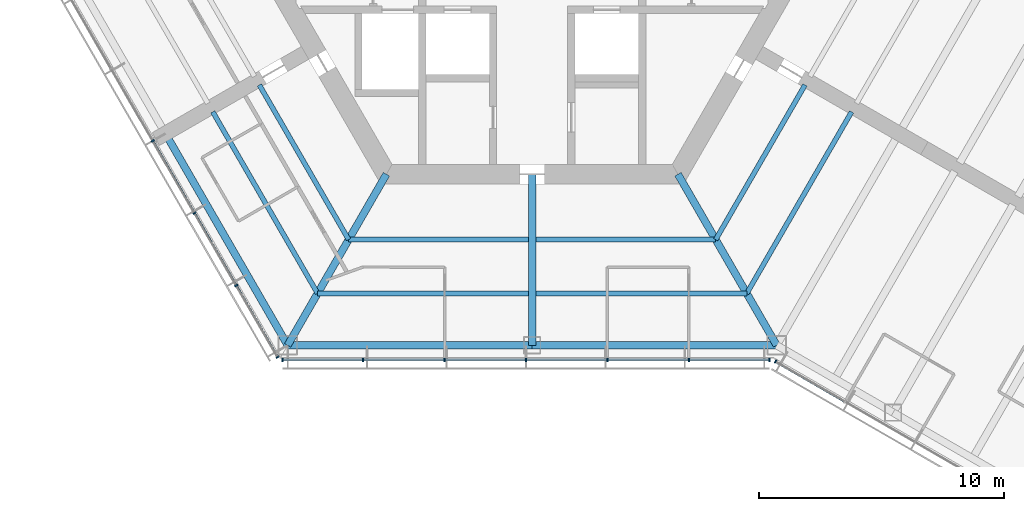
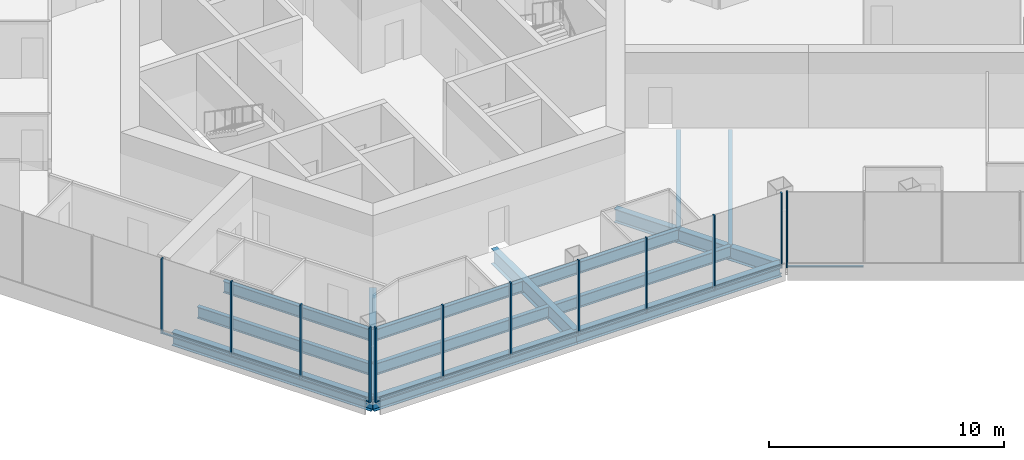
# One storey, part 2 of 16: 22 members, 14 beams, 3 elements without a shape of their own.
"""IFC4 building model written with IfcOpenShell, lengths in metres."""

from ifc_helpers import new_model, si_unit, direction, frame, origin, origin_2d, place, context, subcontext, project, spatial, rectangle, i_section, extrude, material, material_profile, profile_set, type_object, element, aggregate, save


model = new_model("IFC4")

# Units and contexts
model_context = context("Model", 3, precision=1e-05, world=origin(), true_north=direction((0.0, 1.0)))
body_context = subcontext(model_context, "Body", "Model", "MODEL_VIEW")
ifc_project = project(units=[si_unit("LENGTHUNIT", "METRE"), si_unit("AREAUNIT", "SQUARE_METRE"), si_unit("VOLUMEUNIT", "CUBIC_METRE"), si_unit("PLANEANGLEUNIT", "RADIAN"), si_unit("MASSUNIT", "GRAM", prefix="KILO")], contexts=[model_context])

# Site, building, storey
site_placement = place(None, origin())
site = spatial("IfcSite", under=ifc_project, at=site_placement, CompositionType="ELEMENT")
building_placement = place(site_placement, origin())
building = spatial("IfcBuilding", under=site, at=building_placement, Name="Kasaneha Research Tower", CompositionType="ELEMENT")
storey_placement = place(building_placement, frame((0.0, 0.0, 247.89990234375)))
storey = spatial("IfcBuildingStorey", under=building, at=storey_placement, Name="L62", CompositionType="ELEMENT", Elevation=247.89990234375)

# Beams
ifc_material_1 = material(Name="Steel SN490B", Category="steel")
ifc_material_profile_1 = material_profile(ifc_material_1, i_section(OverallWidth=0.199951171875, OverallDepth=0.60009765625, WebThickness=0.010986328125, FlangeThickness=0.01708984375, FilletRadius=0.012939453125, at=origin_2d()), Name="H-600x200x11x17")
ifc_profile_set_1 = profile_set([ifc_material_profile_1], Name="Steel SN490B")
beam_type_1 = type_object("IfcBeamType", Name="B1-3 secondary beam H-600x200x11x17", PredefinedType="JOIST", material=ifc_profile_set_1)
beam_1_placement = place(storey_placement, frame((-7.505615234375, -13.0, -0.449951171875), z_axis=(-0.499999192304, 0.866025870108, 0.0), x_axis=(-0.866025870108, -0.499999192304, 0.0)))
element("IfcBeam", 1, at=beam_1_placement, inside=storey, type_object=beam_type_1, Name="Secondary beam RS210R1 L62", PredefinedType="JOIST", context=body_context, shape_type="SweptSolid", body=[
    extrude(i_section(OverallWidth=0.199951171875, OverallDepth=0.60009765625, WebThickness=0.010986328125, FlangeThickness=0.01708984375, FilletRadius=0.012939453125, at=origin_2d()), origin(), (0.0, 0.0, 1.0), 7.3056640625),
])
beam_2_placement = place(storey_placement, frame((-8.775634765625, -15.199951171875, -0.449951171875), z_axis=(-0.500000102728, 0.866025344474, 0.0), x_axis=(-0.866025344474, -0.500000102728, 0.0)))
element("IfcBeam", 2, at=beam_2_placement, inside=storey, type_object=beam_type_1, Name="Secondary beam RS210R2 L62", PredefinedType="JOIST", context=body_context, shape_type="SweptSolid", body=[
    extrude(i_section(OverallWidth=0.199951171875, OverallDepth=0.60009765625, WebThickness=0.010986328125, FlangeThickness=0.01708984375, FilletRadius=0.012939453125, at=origin_2d()), origin(), (0.0, 0.0, 1.0), 8.57568359375),
])
beam_3_placement = place(storey_placement, frame((-7.505615234375, -13.0, -0.449951171875), z_axis=(1.0, 0.0, 0.0), x_axis=(0.0, 1.0, 0.0)))
element("IfcBeam", 3, at=beam_3_placement, inside=storey, type_object=beam_type_1, Name="Secondary beam RS270L1 L62", PredefinedType="JOIST", context=body_context, shape_type="SweptSolid", body=[
    extrude(i_section(OverallWidth=0.199951171875, OverallDepth=0.60009765625, WebThickness=0.010986328125, FlangeThickness=0.01708984375, FilletRadius=0.012939453125, at=origin_2d()), origin(), (0.0, 0.0, 1.0), 7.355712890625),
])
beam_4_placement = place(storey_placement, frame((-8.775634765625, -15.199951171875, -0.449951171875), z_axis=(1.0, 0.0, 0.0), x_axis=(0.0, 1.0, 0.0)))
element("IfcBeam", 4, at=beam_4_placement, inside=storey, type_object=beam_type_1, Name="Secondary beam RS270L2 L62", PredefinedType="JOIST", context=body_context, shape_type="SweptSolid", body=[
    extrude(i_section(OverallWidth=0.199951171875, OverallDepth=0.60009765625, WebThickness=0.010986328125, FlangeThickness=0.01708984375, FilletRadius=0.012939453125, at=origin_2d()), origin(), (0.0, 0.0, 1.0), 8.625732421875),
])
beam_5_placement = place(storey_placement, frame((7.505615234375, -13.0, -0.449951171875), z_axis=(-1.0, 0.0, 0.0), x_axis=(0.0, -1.0, 0.0)))
element("IfcBeam", 5, at=beam_5_placement, inside=storey, type_object=beam_type_1, Name="Secondary beam RS270R1 L62", PredefinedType="JOIST", context=body_context, shape_type="SweptSolid", body=[
    extrude(i_section(OverallWidth=0.199951171875, OverallDepth=0.60009765625, WebThickness=0.010986328125, FlangeThickness=0.01708984375, FilletRadius=0.012939453125, at=origin_2d()), origin(), (0.0, 0.0, 1.0), 7.355712890625),
])
beam_6_placement = place(storey_placement, frame((8.775634765625, -15.199951171875, -0.449951171875), z_axis=(-1.0, 0.0, 0.0), x_axis=(0.0, -1.0, 0.0)))
element("IfcBeam", 6, at=beam_6_placement, inside=storey, type_object=beam_type_1, Name="Secondary beam RS270R2 L62", PredefinedType="JOIST", context=body_context, shape_type="SweptSolid", body=[
    extrude(i_section(OverallWidth=0.199951171875, OverallDepth=0.60009765625, WebThickness=0.010986328125, FlangeThickness=0.01708984375, FilletRadius=0.012939453125, at=origin_2d()), origin(), (0.0, 0.0, 1.0), 8.625732421875),
])
beam_7_placement = place(storey_placement, frame((7.505615234375, -13.0, -0.449951171875), z_axis=(0.499999192304, 0.866025870108, 0.0), x_axis=(-0.866025870108, 0.499999192304, 0.0)))
element("IfcBeam", 7, at=beam_7_placement, inside=storey, type_object=beam_type_1, Name="Secondary beam RS330L1 L62", PredefinedType="JOIST", context=body_context, shape_type="SweptSolid", body=[
    extrude(i_section(OverallWidth=0.199951171875, OverallDepth=0.60009765625, WebThickness=0.010986328125, FlangeThickness=0.01708984375, FilletRadius=0.012939453125, at=origin_2d()), origin(), (0.0, 0.0, 1.0), 7.3056640625),
])
beam_8_placement = place(storey_placement, frame((8.775634765625, -15.199951171875, -0.449951171875), z_axis=(0.500000102728, 0.866025344474, 0.0), x_axis=(-0.866025344474, 0.500000102728, 0.0)))
element("IfcBeam", 8, at=beam_8_placement, inside=storey, type_object=beam_type_1, Name="Secondary beam RS330L2 L62", PredefinedType="JOIST", context=body_context, shape_type="SweptSolid", body=[
    extrude(i_section(OverallWidth=0.199951171875, OverallDepth=0.60009765625, WebThickness=0.010986328125, FlangeThickness=0.01708984375, FilletRadius=0.012939453125, at=origin_2d()), origin(), (0.0, 0.0, 1.0), 8.57568359375),
])

# Curtain wall, members
ifc_material_2 = material(Name="Glass and aluminium", Category="aluminium")
curtain_wall_type = type_object("IfcCurtainWallType", Name="High-rise office curtain wall", PredefinedType="USERDEFINED", material=ifc_material_2)
curtain_wall_1_placement = place(storey_placement, origin())
curtain_wall_1 = element("IfcCurtainWall", 9, at=curtain_wall_1_placement, inside=storey, type_object=curtain_wall_type, Name="CW-O3 L62 run 04a", ObjectType="UNITISED CURTAIN WALL", PredefinedType="USERDEFINED")
ifc_material_3 = material(Name="Aluminium 6063-T6", Category="aluminium")
ifc_material_profile_2 = material_profile(ifc_material_3, rectangle(XDim=0.06005859375, YDim=0.139892578125, at=origin_2d()), Name="CW-O3 mullion 60x140")
ifc_profile_set_2 = profile_set([ifc_material_profile_2], Name="Aluminium 6063-T6")
member_type_1 = type_object("IfcMemberType", Name="CW-O3 mullion", PredefinedType="MULLION", material=ifc_profile_set_2)
member_1_placement = place(storey_placement, frame((-15.51953125, -8.960205078125, 0.0), z_axis=(0.0, 0.0, 1.0), x_axis=(0.499999995722, -0.866025406254, 0.0)))
member_1 = element("IfcMember", 10, at=member_1_placement, type_object=member_type_1, Name="CW-O3 mullion 4", PredefinedType="MULLION", context=body_context, shape_type="SweptSolid", body=[
    extrude(rectangle(XDim=0.06005859375, YDim=0.139892578125, at=origin_2d()), origin(), (0.0, 0.0, 1.0), 3.900146484375),
])
member_2_placement = place(storey_placement, frame((-13.811767578125, -11.918212890625, 0.0), z_axis=(0.0, 0.0, 1.0), x_axis=(0.499999995722, -0.866025406254, 0.0)))
member_2 = element("IfcMember", 11, at=member_2_placement, type_object=member_type_1, Name="CW-O3 mullion 5", PredefinedType="MULLION", context=body_context, shape_type="SweptSolid", body=[
    extrude(rectangle(XDim=0.06005859375, YDim=0.139892578125, at=origin_2d()), origin(), (0.0, 0.0, 1.0), 3.900146484375),
])
member_3_placement = place(storey_placement, frame((-12.104248046875, -14.8759765625, 0.0), z_axis=(0.0, 0.0, 1.0), x_axis=(0.499999995722, -0.866025406254, 0.0)))
member_3 = element("IfcMember", 12, at=member_3_placement, type_object=member_type_1, Name="CW-O3 mullion 6", PredefinedType="MULLION", context=body_context, shape_type="SweptSolid", body=[
    extrude(rectangle(XDim=0.06005859375, YDim=0.139892578125, at=origin_2d()), origin(), (0.0, 0.0, 1.0), 3.900146484375),
])
member_4_placement = place(storey_placement, frame((-10.411376953125, -17.807861328125, 0.0), z_axis=(0.0, 0.0, 1.0), x_axis=(0.499999995722, -0.866025406254, 0.0)))
member_4 = element("IfcMember", 13, at=member_4_placement, type_object=member_type_1, Name="CW-O3 mullion 7", PredefinedType="MULLION", context=body_context, shape_type="SweptSolid", body=[
    extrude(rectangle(XDim=0.06005859375, YDim=0.139892578125, at=origin_2d()), origin(), (0.0, 0.0, 1.0), 3.900146484375),
])

curtain_wall_2_placement = place(storey_placement, origin())
curtain_wall_2 = element("IfcCurtainWall", 14, at=curtain_wall_2_placement, inside=storey, type_object=curtain_wall_type, Name="CW-O3 L62 run 05a", ObjectType="UNITISED CURTAIN WALL", PredefinedType="USERDEFINED")
member_5_placement = place(storey_placement, frame((-10.21630859375, -17.92041015625, 0.0), z_axis=(0.0, 0.0, 1.0), x_axis=(1.0, 0.0, 0.0)))
member_5 = element("IfcMember", 15, at=member_5_placement, type_object=member_type_1, Name="CW-O3 mullion 1", PredefinedType="MULLION", context=body_context, shape_type="SweptSolid", body=[
    extrude(rectangle(XDim=0.06005859375, YDim=0.139892578125, at=origin_2d()), origin(), (0.0, 0.0, 1.0), 3.900146484375),
])
member_6_placement = place(storey_placement, frame((-6.91552734375, -17.92041015625, 0.0), z_axis=(0.0, 0.0, 1.0), x_axis=(1.0, 0.0, 0.0)))
member_6 = element("IfcMember", 16, at=member_6_placement, type_object=member_type_1, Name="CW-O3 mullion 2", PredefinedType="MULLION", context=body_context, shape_type="SweptSolid", body=[
    extrude(rectangle(XDim=0.06005859375, YDim=0.139892578125, at=origin_2d()), origin(), (0.0, 0.0, 1.0), 3.900146484375),
])
member_7_placement = place(storey_placement, frame((-3.58447265625, -17.92041015625, 0.0), z_axis=(0.0, 0.0, 1.0), x_axis=(1.0, 0.0, 0.0)))
member_7 = element("IfcMember", 17, at=member_7_placement, type_object=member_type_1, Name="CW-O3 mullion 3", PredefinedType="MULLION", context=body_context, shape_type="SweptSolid", body=[
    extrude(rectangle(XDim=0.06005859375, YDim=0.139892578125, at=origin_2d()), origin(), (0.0, 0.0, 1.0), 3.900146484375),
])
member_8_placement = place(storey_placement, frame((-0.253662109375, -17.92041015625, 0.0), z_axis=(0.0, 0.0, 1.0), x_axis=(1.0, 0.0, 0.0)))
member_8 = element("IfcMember", 18, at=member_8_placement, type_object=member_type_1, Name="CW-O3 mullion 4", PredefinedType="MULLION", context=body_context, shape_type="SweptSolid", body=[
    extrude(rectangle(XDim=0.06005859375, YDim=0.139892578125, at=origin_2d()), origin(), (0.0, 0.0, 1.0), 3.900146484375),
])
member_9_placement = place(storey_placement, frame((3.077392578125, -17.92041015625, 0.0), z_axis=(0.0, 0.0, 1.0), x_axis=(1.0, 0.0, 0.0)))
member_9 = element("IfcMember", 19, at=member_9_placement, type_object=member_type_1, Name="CW-O3 mullion 5", PredefinedType="MULLION", context=body_context, shape_type="SweptSolid", body=[
    extrude(rectangle(XDim=0.06005859375, YDim=0.139892578125, at=origin_2d()), origin(), (0.0, 0.0, 1.0), 3.900146484375),
])
member_10_placement = place(storey_placement, frame((6.408203125, -17.92041015625, 0.0), z_axis=(0.0, 0.0, 1.0), x_axis=(1.0, 0.0, 0.0)))
member_10 = element("IfcMember", 20, at=member_10_placement, type_object=member_type_1, Name="CW-O3 mullion 6", PredefinedType="MULLION", context=body_context, shape_type="SweptSolid", body=[
    extrude(rectangle(XDim=0.06005859375, YDim=0.139892578125, at=origin_2d()), origin(), (0.0, 0.0, 1.0), 3.900146484375),
])
member_11_placement = place(storey_placement, frame((9.709228515625, -17.92041015625, 0.0), z_axis=(0.0, 0.0, 1.0), x_axis=(1.0, 0.0, 0.0)))
member_11 = element("IfcMember", 21, at=member_11_placement, type_object=member_type_1, Name="CW-O3 mullion 7", PredefinedType="MULLION", context=body_context, shape_type="SweptSolid", body=[
    extrude(rectangle(XDim=0.06005859375, YDim=0.139892578125, at=origin_2d()), origin(), (0.0, 0.0, 1.0), 3.900146484375),
])

# Curtain wall, member
curtain_wall_3_placement = place(storey_placement, origin())
curtain_wall_3 = element("IfcCurtainWall", 22, at=curtain_wall_3_placement, inside=storey, type_object=curtain_wall_type, Name="CW-O3 L62 run 06a", ObjectType="UNITISED CURTAIN WALL", PredefinedType="USERDEFINED")
member_12_placement = place(storey_placement, frame((9.951904296875, -17.985595703125, 0.0), z_axis=(0.0, 0.0, 1.0), x_axis=(0.866025411464, -0.499999986699, 0.0)))
member_12 = element("IfcMember", 23, at=member_12_placement, type_object=member_type_1, Name="CW-O3 mullion 1", PredefinedType="MULLION", context=body_context, shape_type="SweptSolid", body=[
    extrude(rectangle(XDim=0.06005859375, YDim=0.139892578125, at=origin_2d()), origin(), (0.0, 0.0, 1.0), 3.900146484375),
])

# Member
ifc_material_4 = material(Name="Aluminium 6063-T6", Category="aluminium")
ifc_material_profile_3 = material_profile(ifc_material_4, rectangle(XDim=0.10009765625, YDim=0.06005859375, at=origin_2d()), Name="CW-O3 transom 100x60")
ifc_profile_set_3 = profile_set([ifc_material_profile_3], Name="Aluminium 6063-T6")
member_type_2 = type_object("IfcMemberType", Name="CW-O3 transom", PredefinedType="USERDEFINED", material=ifc_profile_set_3)
member_13_placement = place(storey_placement, frame((-15.504638671875, -8.986328125, 0.030029296875), z_axis=(0.500020578564, -0.866013522419, 0.0), x_axis=(0.866013522419, 0.500020578564, 0.0)))
member_13 = element("IfcMember", 24, at=member_13_placement, type_object=member_type_2, Name="CW-O3 transom 4", ObjectType="TRANSOM", PredefinedType="USERDEFINED", context=body_context, shape_type="SweptSolid", body=[
    extrude(rectangle(XDim=0.10009765625, YDim=0.06005859375, at=origin_2d()), origin(), (0.0, 0.0, 1.0), 3.355224609375),
])

member_14_placement = place(storey_placement, frame((-13.796875, -11.944091796875, 0.030029296875), z_axis=(0.499989072476, -0.866031712701, 0.0), x_axis=(0.866031712701, 0.499989072476, 0.0)))
member_14 = element("IfcMember", 25, at=member_14_placement, type_object=member_type_2, Name="CW-O3 transom 5", ObjectType="TRANSOM", PredefinedType="USERDEFINED", context=body_context, shape_type="SweptSolid", body=[
    extrude(rectangle(XDim=0.10009765625, YDim=0.06005859375, at=origin_2d()), origin(), (0.0, 0.0, 1.0), 3.35546875),
])

member_15_placement = place(storey_placement, frame((-12.089111328125, -14.902099609375, 0.030029296875), z_axis=(0.49997666526, -0.866038875684, 0.0), x_axis=(0.866038875684, 0.49997666526, 0.0)))
member_15 = element("IfcMember", 26, at=member_15_placement, type_object=member_type_2, Name="CW-O3 transom 6", ObjectType="TRANSOM", PredefinedType="USERDEFINED", context=body_context, shape_type="SweptSolid", body=[
    extrude(rectangle(XDim=0.10009765625, YDim=0.06005859375, at=origin_2d()), origin(), (0.0, 0.0, 1.0), 3.325439453125),
])

aggregate(curtain_wall_1, [member_1, member_2, member_3, member_4, member_13, member_14, member_15])

member_16_placement = place(storey_placement, frame((-10.1865234375, -17.92041015625, 0.030029296875), z_axis=(1.0, 0.0, 0.0), x_axis=(0.0, 1.0, 0.0)))
member_16 = element("IfcMember", 27, at=member_16_placement, type_object=member_type_2, Name="CW-O3 transom 1", ObjectType="TRANSOM", PredefinedType="USERDEFINED", context=body_context, shape_type="SweptSolid", body=[
    extrude(rectangle(XDim=0.10009765625, YDim=0.06005859375, at=origin_2d()), origin(), (0.0, 0.0, 1.0), 3.240966796875),
])

member_17_placement = place(storey_placement, frame((-6.885498046875, -17.92041015625, 0.030029296875), z_axis=(1.0, 0.0, 0.0), x_axis=(0.0, 1.0, 0.0)))
member_17 = element("IfcMember", 28, at=member_17_placement, type_object=member_type_2, Name="CW-O3 transom 2", ObjectType="TRANSOM", PredefinedType="USERDEFINED", context=body_context, shape_type="SweptSolid", body=[
    extrude(rectangle(XDim=0.10009765625, YDim=0.06005859375, at=origin_2d()), origin(), (0.0, 0.0, 1.0), 3.27099609375),
])

member_18_placement = place(storey_placement, frame((-3.554443359375, -17.92041015625, 0.030029296875), z_axis=(1.0, 0.0, 0.0), x_axis=(0.0, 1.0, 0.0)))
member_18 = element("IfcMember", 29, at=member_18_placement, type_object=member_type_2, Name="CW-O3 transom 3", ObjectType="TRANSOM", PredefinedType="USERDEFINED", context=body_context, shape_type="SweptSolid", body=[
    extrude(rectangle(XDim=0.10009765625, YDim=0.06005859375, at=origin_2d()), origin(), (0.0, 0.0, 1.0), 3.270751953125),
])

member_19_placement = place(storey_placement, frame((-0.2236328125, -17.92041015625, 0.030029296875), z_axis=(1.0, 0.0, 0.0), x_axis=(0.0, 1.0, 0.0)))
member_19 = element("IfcMember", 30, at=member_19_placement, type_object=member_type_2, Name="CW-O3 transom 4", ObjectType="TRANSOM", PredefinedType="USERDEFINED", context=body_context, shape_type="SweptSolid", body=[
    extrude(rectangle(XDim=0.10009765625, YDim=0.06005859375, at=origin_2d()), origin(), (0.0, 0.0, 1.0), 3.27099609375),
])

member_20_placement = place(storey_placement, frame((3.107421875, -17.92041015625, 0.030029296875), z_axis=(1.0, 0.0, 0.0), x_axis=(0.0, 1.0, 0.0)))
member_20 = element("IfcMember", 31, at=member_20_placement, type_object=member_type_2, Name="CW-O3 transom 5", ObjectType="TRANSOM", PredefinedType="USERDEFINED", context=body_context, shape_type="SweptSolid", body=[
    extrude(rectangle(XDim=0.10009765625, YDim=0.06005859375, at=origin_2d()), origin(), (0.0, 0.0, 1.0), 3.270751953125),
])

member_21_placement = place(storey_placement, frame((6.438232421875, -17.92041015625, 0.030029296875), z_axis=(1.0, 0.0, 0.0), x_axis=(0.0, 1.0, 0.0)))
member_21 = element("IfcMember", 32, at=member_21_placement, type_object=member_type_2, Name="CW-O3 transom 6", ObjectType="TRANSOM", PredefinedType="USERDEFINED", context=body_context, shape_type="SweptSolid", body=[
    extrude(rectangle(XDim=0.10009765625, YDim=0.06005859375, at=origin_2d()), origin(), (0.0, 0.0, 1.0), 3.240966796875),
])

aggregate(curtain_wall_2, [member_5, member_6, member_7, member_8, member_9, member_10, member_11, member_16, member_17, member_18, member_19, member_20, member_21])

member_22_placement = place(storey_placement, frame((9.977783203125, -18.00048828125, 0.030029296875), z_axis=(0.866022692473, -0.500004696101, 0.0), x_axis=(0.500004696101, 0.866022692473, 0.0)))
member_22 = element("IfcMember", 33, at=member_22_placement, type_object=member_type_2, Name="CW-O3 transom 1", ObjectType="TRANSOM", PredefinedType="USERDEFINED", context=body_context, shape_type="SweptSolid", body=[
    extrude(rectangle(XDim=0.10009765625, YDim=0.06005859375, at=origin_2d()), origin(), (0.0, 0.0, 1.0), 3.2197265625),
])

aggregate(curtain_wall_3, [member_12, member_22])

# Beams
ifc_material_5 = material(Name="Steel SN490B", Category="steel")
ifc_material_profile_4 = material_profile(ifc_material_5, i_section(OverallWidth=0.300048828125, OverallDepth=0.699951171875, WebThickness=0.012939453125, FlangeThickness=0.02392578125, FilletRadius=0.01806640625, at=origin_2d()), Name="H-700x300x13x24")
ifc_profile_set_4 = profile_set([ifc_material_profile_4], Name="Steel SN490B")
beam_type_2 = type_object("IfcBeamType", Name="G1-3 radial girder H-700x300x13x24", PredefinedType="BEAM", material=ifc_profile_set_4)
for number, where, z_axis, x_axis, name in (
    (34, (-5.961181640625, -10.324951171875, -0.5), (-0.49999105496, -0.866030568144, 0.0), (0.866030568144, -0.49999105496, 0.0), "Radial girder RV240 L62"),
    (35, (5.961181640625, -10.324951171875, -0.5), (0.49999105496, -0.866030568144, 0.0), (0.866030568144, 0.49999105496, 0.0), "Radial girder RV300 L62"),
):
    element("IfcBeam", number, at=place(storey_placement, frame(where, z_axis=z_axis, x_axis=x_axis)), inside=storey, type_object=beam_type_2, Name=name, PredefinedType="BEAM", context=body_context, shape_type="SweptSolid", body=[
        extrude(i_section(OverallWidth=0.300048828125, OverallDepth=0.699951171875, WebThickness=0.012939453125, FlangeThickness=0.02392578125, FilletRadius=0.01806640625, at=origin_2d()), origin(), (0.0, 0.0, 1.0), 8.077880859375),
    ])
ifc_material_6 = material(Name="Steel SN490B", Category="steel")
ifc_material_profile_5 = material_profile(ifc_material_6, i_section(OverallWidth=0.300048828125, OverallDepth=0.800048828125, WebThickness=0.013916015625, FlangeThickness=0.02587890625, FilletRadius=0.01806640625, at=origin_2d()), Name="H-800x300x14x26")
ifc_profile_set_5 = profile_set([ifc_material_profile_5], Name="Steel SN490B")
beam_type_3 = type_object("IfcBeamType", Name="G2-3 radial girder H-800x300x14x26", PredefinedType="BEAM", material=ifc_profile_set_5)
beam_9_placement = place(storey_placement, frame((0.0, -10.324951171875, -0.5498046875), z_axis=(0.0, -1.0, 0.0), x_axis=(1.0, 0.0, 0.0)))
element("IfcBeam", 36, at=beam_9_placement, inside=storey, type_object=beam_type_3, Name="Radial girder RM270 L62", PredefinedType="BEAM", context=body_context, shape_type="SweptSolid", body=[
    extrude(i_section(OverallWidth=0.300048828125, OverallDepth=0.800048828125, WebThickness=0.013916015625, FlangeThickness=0.02587890625, FilletRadius=0.01806640625, at=origin_2d()), origin(), (0.0, 0.0, 1.0), 6.99560546875),
])
ifc_material_7 = material(Name="Steel SN490B", Category="steel")
ifc_material_profile_6 = material_profile(ifc_material_7, i_section(OverallWidth=0.300048828125, OverallDepth=0.69189453125, WebThickness=0.012939453125, FlangeThickness=0.02001953125, FilletRadius=0.01806640625, at=origin_2d()), Name="H-692x300x13x20")
ifc_profile_set_6 = profile_set([ifc_material_profile_6], Name="Steel SN490B")
beam_type_4 = type_object("IfcBeamType", Name="G3-3 plate edge girder H-692x300x13x20", PredefinedType="BEAM", material=ifc_profile_set_6)
beam_10_placement = place(storey_placement, frame((-10.0, -17.320556640625, -0.495849609375), z_axis=(-0.49999201416, 0.866030014362, 0.0), x_axis=(-0.866030014362, -0.49999201416, 0.0)))
element("IfcBeam", 37, at=beam_10_placement, inside=storey, type_object=beam_type_4, Name="Plate edge girder PEBN L62", PredefinedType="BEAM", context=body_context, shape_type="SweptSolid", body=[
    extrude(i_section(OverallWidth=0.300048828125, OverallDepth=0.69189453125, WebThickness=0.012939453125, FlangeThickness=0.02001953125, FilletRadius=0.01806640625, at=origin_2d()), origin(), (0.0, 0.0, 1.0), 9.800048828125),
])
ifc_material_8 = material(Name="Steel SN490B", Category="steel")
ifc_material_profile_7 = material_profile(ifc_material_8, i_section(OverallWidth=0.300048828125, OverallDepth=0.69189453125, WebThickness=0.012939453125, FlangeThickness=0.02001953125, FilletRadius=0.01806640625, at=origin_2d()), Name="H-692x300x13x20")
ifc_profile_set_7 = profile_set([ifc_material_profile_7], Name="Steel SN490B")
beam_type_5 = type_object("IfcBeamType", Name="SB1-3 spandrel beam H-692x300x13x20", PredefinedType="SPANDREL", material=ifc_profile_set_7)
for number, where, z_axis, x_axis, name in (
    (38, (-10.0, -17.320556640625, -0.495849609375), (1.0, 0.0, 0.0), (0.0, 1.0, 0.0), "Spandrel beam SR270L L62"),
    (39, (10.0, -17.320556640625, -0.495849609375), (-1.0, 0.0, 0.0), (0.0, -1.0, 0.0), "Spandrel beam SR270R L62"),
):
    element("IfcBeam", number, at=place(storey_placement, frame(where, z_axis=z_axis, x_axis=x_axis)), inside=storey, type_object=beam_type_5, Name=name, PredefinedType="SPANDREL", context=body_context, shape_type="SweptSolid", body=[
        extrude(i_section(OverallWidth=0.300048828125, OverallDepth=0.69189453125, WebThickness=0.012939453125, FlangeThickness=0.02001953125, FilletRadius=0.01806640625, at=origin_2d()), origin(), (0.0, 0.0, 1.0), 10.0),
    ])

save(model, "model.ifc")
